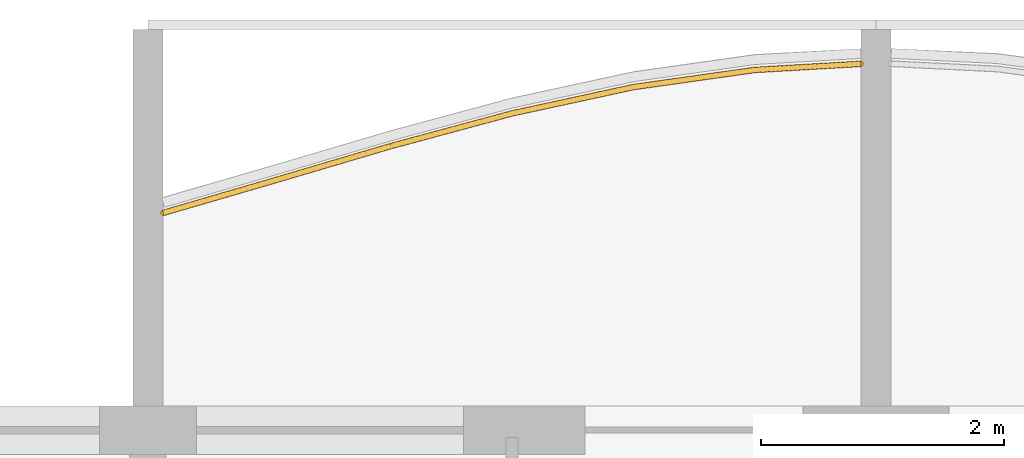
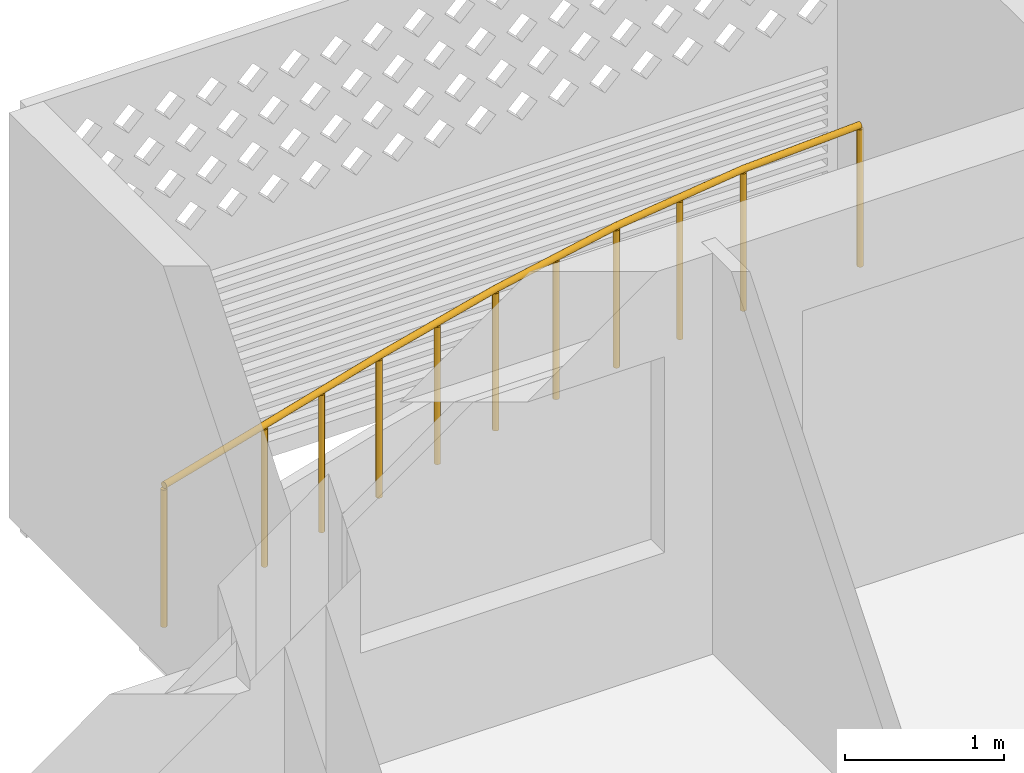
# One storey, part 26 of 31: 1 railing.
"""IFC4 building model written with IfcOpenShell, lengths in metres."""

from ifc_helpers import new_model, si_unit, direction, frame, origin, origin_2d, place, context, subcontext, project, spatial, circle, extrude, material, type_object, element, save


model = new_model("IFC4")

# Units and contexts
model_context = context("Model", 3, precision=1e-05, world=origin(), true_north=direction((0.0, 1.0)))
body_context = subcontext(model_context, "Body", "Model", "MODEL_VIEW")
ifc_project = project(units=[si_unit("LENGTHUNIT", "METRE"), si_unit("AREAUNIT", "SQUARE_METRE"), si_unit("VOLUMEUNIT", "CUBIC_METRE"), si_unit("PLANEANGLEUNIT", "RADIAN"), si_unit("MASSUNIT", "GRAM", prefix="KILO")], contexts=[model_context])

# Site, building, storey
site_placement = place(None, origin())
site = spatial("IfcSite", under=ifc_project, at=site_placement, CompositionType="ELEMENT")
building_placement = place(site_placement, origin())
building = spatial("IfcBuilding", under=site, at=building_placement, Name="Poui Terraces", CompositionType="ELEMENT")
storey_placement = place(building_placement, frame((0.0, 0.0, 148.800048828125)))
storey = spatial("IfcBuildingStorey", under=building, at=storey_placement, Name="L41", CompositionType="ELEMENT", Elevation=148.800048828125)

# Railing
ifc_material = material(Name="Painted steel fretwork", Category="steel")
railing_type = type_object("IfcRailingType", Name="BALCONY GUARD 1100", PredefinedType="GUARDRAIL", material=ifc_material)
railing_placement = place(storey_placement, frame((66.125, 44.190185546875, 0.0)))
element("IfcRailing", 1, at=railing_placement, inside=storey, type_object=railing_type, Name="BALCONY GUARD", PredefinedType="GUARDRAIL", context=body_context, shape_type="SweptSolid", body=[
    extrude(circle(Radius=0.02392578125, at=origin_2d()), frame((0.0, 0.0, 1.076171875), z_axis=(0.960023997073, 0.2799177112, 0.0), x_axis=(-0.2799177112, 0.960023997073, 0.0)), (0.0, 0.0, 1.0), 0.911376953125),
    extrude(circle(Radius=0.02392578125, at=origin_2d()), frame((0.875, 0.255126953125, 1.076171875), z_axis=(0.959092870386, 0.283091621166, 0.0), x_axis=(-0.283091621166, 0.959092870386, 0.0)), (0.0, 0.0, 1.0), 1.042724609375),
    extrude(circle(Radius=0.02392578125, at=origin_2d()), frame((1.875, 0.55029296875, 1.076171875), z_axis=(0.965483634336, 0.260463724595, 0.0), x_axis=(-0.260463724595, 0.965483634336, 0.0)), (0.0, 0.0, 1.0), 1.03564453125),
    extrude(circle(Radius=0.02392578125, at=origin_2d()), frame((2.875, 0.820068359375, 1.076171875), z_axis=(0.977296797445, 0.211874891633, 0.0), x_axis=(-0.211874891633, 0.977296797445, 0.0)), (0.0, 0.0, 1.0), 1.023193359375),
    extrude(circle(Radius=0.02392578125, at=origin_2d()), frame((3.875, 1.036865234375, 1.076171875), z_axis=(0.99015631817, 0.13996594439, 0.0), x_axis=(-0.13996594439, 0.99015631817, 0.0)), (0.0, 0.0, 1.0), 1.010009765625),
    extrude(circle(Radius=0.02392578125, at=origin_2d()), frame((4.875, 1.17822265625, 1.076171875), z_axis=(0.998352239869, 0.057382969144, 0.0), x_axis=(-0.057382969144, 0.998352239869, 0.0)), (0.0, 0.0, 1.0), 0.87646484375),
    extrude(circle(Radius=0.02099609375, at=origin_2d()), origin(), (0.0, 0.0, 1.0), 1.052001953125),
    extrude(circle(Radius=0.02099609375, at=origin_2d()), frame((0.875, 0.255126953125, 0.0)), (0.0, 0.0, 1.0), 1.052001953125),
    extrude(circle(Radius=0.02099609375, at=origin_2d()), frame((1.375, 0.40283203125, 0.0)), (0.0, 0.0, 1.0), 1.052001953125),
    extrude(circle(Radius=0.02099609375, at=origin_2d()), frame((1.875, 0.55029296875, 0.0)), (0.0, 0.0, 1.0), 1.052001953125),
    extrude(circle(Radius=0.02099609375, at=origin_2d()), frame((2.375, 0.68505859375, 0.0)), (0.0, 0.0, 1.0), 1.052001953125),
    extrude(circle(Radius=0.02099609375, at=origin_2d()), frame((2.875, 0.820068359375, 0.0)), (0.0, 0.0, 1.0), 1.052001953125),
    extrude(circle(Radius=0.02099609375, at=origin_2d()), frame((3.375, 0.928466796875, 0.0)), (0.0, 0.0, 1.0), 1.052001953125),
    extrude(circle(Radius=0.02099609375, at=origin_2d()), frame((3.875, 1.036865234375, 0.0)), (0.0, 0.0, 1.0), 1.052001953125),
    extrude(circle(Radius=0.02099609375, at=origin_2d()), frame((4.375, 1.107421875, 0.0)), (0.0, 0.0, 1.0), 1.052001953125),
    extrude(circle(Radius=0.02099609375, at=origin_2d()), frame((4.875, 1.17822265625, 0.0)), (0.0, 0.0, 1.0), 1.052001953125),
    extrude(circle(Radius=0.02099609375, at=origin_2d()), frame((5.75, 1.228515625, 0.0)), (0.0, 0.0, 1.0), 1.052001953125),
])

save(model, "model.ifc")
